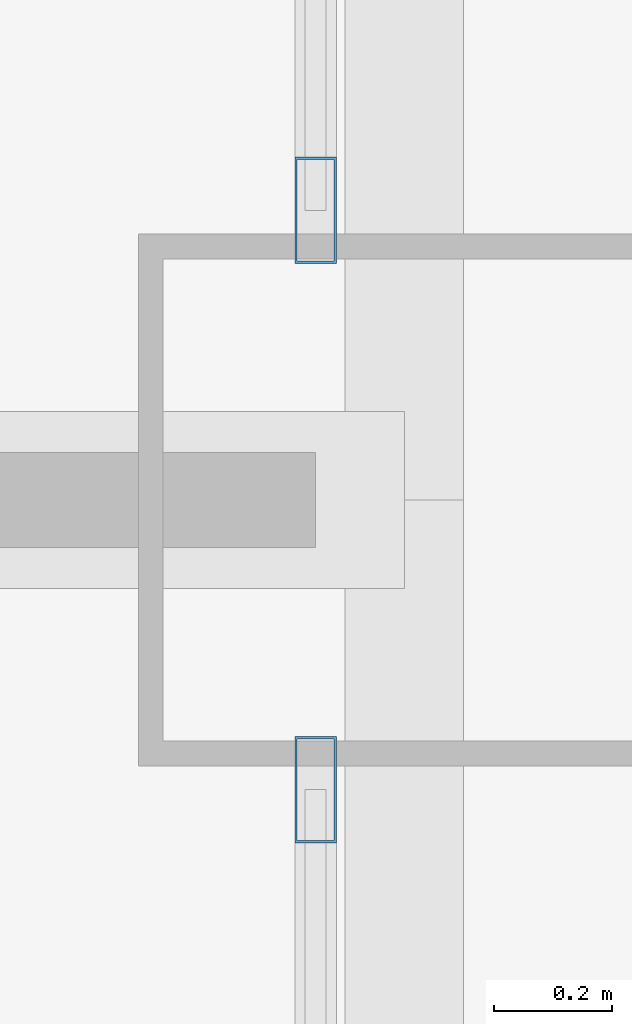
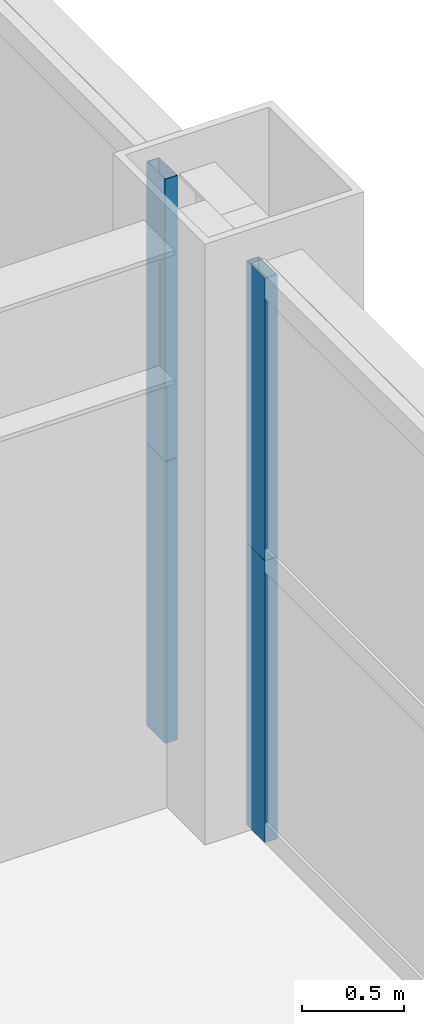
# One storey, part 21 of 43: 4 members, 2 elements without a shape of their own.
"""IFC4 building model written with IfcOpenShell, lengths in metres."""

import ifcopenshell
import ifcopenshell.guid

model = None  # the IFC model being written
_history = None  # IfcOwnerHistory: only IFC2X3 demands one
_inside = {}  # id of a spatial element -> (the spatial element, [elements in it])
_under = {}  # id of a project, library or spatial element -> (it, [spatial elements below it])
_declared = {}  # id of a project -> (the project, [libraries it declares])
_typed = {}  # id of a type object -> (the type object, [elements of that type])
_made_of = {}  # id of a material, layer set ... -> (it, [elements and type objects made of it])


def new_model(schema):
    """Start an empty IFC model of exactly this schema.

    Asked for "IFC4X3", IfcOpenShell would pick the latest addendum, in which some entities
    have other attributes; the version numbers below select the first issue.
    IFC2X3 requires an IfcOwnerHistory on every rooted entity: one is made here for all.
    """
    global model, _history
    if schema == "IFC4X3":
        model = ifcopenshell.file(schema_version=(4, 3, 0, 0))
    else:
        model = ifcopenshell.file(schema=schema)
    _inside.clear()
    _under.clear()
    _declared.clear()
    _typed.clear()
    _made_of.clear()
    _history = None
    if model.schema == "IFC2X3":
        org = make("IfcOrganization", Name="unknown")
        user = make(
            "IfcPersonAndOrganization",
            ThePerson=make("IfcPerson", FamilyName="unknown"),
            TheOrganization=org,
        )
        app = make(
            "IfcApplication",
            ApplicationDeveloper=org,
            Version="unknown",
            ApplicationFullName="unknown",
            ApplicationIdentifier="unknown",
        )
        _history = make(
            "IfcOwnerHistory",
            OwningUser=user,
            OwningApplication=app,
            ChangeAction="ADDED",
            CreationDate=0,
        )
    return model


def make(cls, **values):
    """One entity of the class cls with the attributes given. An attribute that is None is left unset."""
    return model.create_entity(
        cls, **{name: value for name, value in values.items() if value is not None}
    )


def rooted(cls, **values):
    """An entity with a GlobalId (a new one), such as an element, a storey or a relation."""
    return make(cls, GlobalId=ifcopenshell.guid.new(), OwnerHistory=_history, **values)


def si_unit(unit_type, name, prefix=None):
    """IfcSIUnit, for example si_unit("LENGTHUNIT", "METRE", prefix="MILLI")."""
    return make("IfcSIUnit", UnitType=unit_type, Prefix=prefix, Name=name)


def assignment(units):
    """IfcUnitAssignment: the units of a project."""
    return None if units is None else make("IfcUnitAssignment", Units=units)


def point(xyz):
    """IfcCartesianPoint."""
    return None if xyz is None else make("IfcCartesianPoint", Coordinates=xyz)


def direction(xyz):
    """IfcDirection."""
    return None if xyz is None else make("IfcDirection", DirectionRatios=xyz)


def frame(location, z_axis=None, x_axis=None):
    """IfcAxis2Placement3D, a coordinate frame: its origin and axes. An axis left out is left unset."""
    return make(
        "IfcAxis2Placement3D",
        Location=point(location),
        Axis=direction(z_axis),
        RefDirection=direction(x_axis),
    )


def frame_2d(location, x_axis=None):
    """IfcAxis2Placement2D, a coordinate frame in the plane: its origin and x axis."""
    return make(
        "IfcAxis2Placement2D", Location=point(location), RefDirection=direction(x_axis)
    )


def origin():
    """The frame at (0, 0, 0) with its axes left unset."""
    return frame((0.0, 0.0, 0.0))


def origin_2d():
    """The frame at (0, 0) in the plane with its x axis left unset."""
    return frame_2d((0.0, 0.0))


def place(relative_to, where):
    """IfcLocalPlacement: puts the frame where relative to a parent placement (None: the world)."""
    return make(
        "IfcLocalPlacement", PlacementRelTo=relative_to, RelativePlacement=where
    )


def context(
    kind, dimensions, precision=None, world=None, true_north=None, identifier=None
):
    """IfcGeometricRepresentationContext, for example the 3D "Model" context."""
    return make(
        "IfcGeometricRepresentationContext",
        ContextIdentifier=identifier,
        ContextType=kind,
        CoordinateSpaceDimension=dimensions,
        Precision=precision,
        WorldCoordinateSystem=world,
        TrueNorth=true_north,
    )


def subcontext(parent, identifier, kind, view, scale=None):
    """IfcGeometricRepresentationSubContext, for example "Body" below "Model"."""
    return make(
        "IfcGeometricRepresentationSubContext",
        ContextIdentifier=identifier,
        ContextType=kind,
        ParentContext=parent,
        TargetScale=scale,
        TargetView=view,
    )


def project(units=None, contexts=None):
    """IfcProject with its units and contexts."""
    return rooted(
        "IfcProject",
        Name="project",
        RepresentationContexts=contexts,
        UnitsInContext=assignment(units),
    )


def spatial(cls, under=None, at=None, **own):
    """A site, building, storey or space (cls), placed at a placement, below another one or the project."""
    s = rooted(cls, ObjectPlacement=at, **own)
    if under is not None:
        _under.setdefault(under.id(), (under, []))[1].append(s)
    return s


def profile(cls, at=None, kind="AREA", **sizes):
    """A parametric profile (cls). Its sizes go by their IFC names, for example OverallWidth=200.0."""
    return make(cls, ProfileType=kind, Position=at, **sizes)


def hollow_rectangle(**sizes):
    """IfcRectangleHollowProfileDef."""
    return profile("IfcRectangleHollowProfileDef", **sizes)


def extrude(swept, where, along, depth):
    """IfcExtrudedAreaSolid: the profile swept, set in the frame where, extruded along a direction by depth."""
    return make(
        "IfcExtrudedAreaSolid",
        SweptArea=swept,
        Position=where,
        ExtrudedDirection=direction(along),
        Depth=depth,
    )


def shape(context_of_items, identifier, shape_type, items):
    """IfcShapeRepresentation: the items that make up one representation, for example the "Body"."""
    return make(
        "IfcShapeRepresentation",
        ContextOfItems=context_of_items,
        RepresentationIdentifier=identifier,
        RepresentationType=shape_type,
        Items=items,
    )


def source(mapping_origin, context_of_items, identifier, shape_type, items):
    """IfcRepresentationMap: a shape defined once, which mapped items show again and again."""
    return make(
        "IfcRepresentationMap",
        MappingOrigin=mapping_origin,
        MappedRepresentation=shape(context_of_items, identifier, shape_type, items),
    )


def transform(
    local_origin,
    x_axis=None,
    y_axis=None,
    z_axis=None,
    scale=None,
    scale2=None,
    scale3=None,
    uniform=True,
):
    """IfcCartesianTransformationOperator3D, or its non-uniform kind. x_axis, y_axis, z_axis: its Axis1, 2, 3."""
    if uniform:
        return make(
            "IfcCartesianTransformationOperator3D",
            Axis1=direction(x_axis),
            Axis2=direction(y_axis),
            LocalOrigin=point(local_origin),
            Scale=scale,
            Axis3=direction(z_axis),
        )
    return make(
        "IfcCartesianTransformationOperator3DnonUniform",
        Axis1=direction(x_axis),
        Axis2=direction(y_axis),
        LocalOrigin=point(local_origin),
        Scale=scale,
        Axis3=direction(z_axis),
        Scale2=scale2,
        Scale3=scale3,
    )


def mapped(mapping_source, mapping_target):
    """IfcMappedItem: shows the shape of a source again, moved by a transform."""
    return make(
        "IfcMappedItem", MappingSource=mapping_source, MappingTarget=mapping_target
    )


def material(Name=None, Category=None):
    """IfcMaterial."""
    return make("IfcMaterial", Name=Name, Category=Category)


def layer(
    of_material, thickness, ventilated=None, Name=None, Category=None, Priority=None
):
    """IfcMaterialLayer: one layer of a wall or slab, of a material (None: an air gap)."""
    return make(
        "IfcMaterialLayer",
        Material=of_material,
        LayerThickness=thickness,
        IsVentilated=ventilated,
        Name=Name,
        Category=Category,
        Priority=Priority,
    )


def layer_set(layers, Name=None):
    """IfcMaterialLayerSet."""
    return make("IfcMaterialLayerSet", MaterialLayers=layers, LayerSetName=Name)


def material_profile(
    of_material, cross_section, Name=None, Category=None, Priority=None
):
    """IfcMaterialProfile: a cross section and its material."""
    return make(
        "IfcMaterialProfile",
        Name=Name,
        Material=of_material,
        Profile=cross_section,
        Priority=Priority,
        Category=Category,
    )


def profile_set(profiles, Name=None, composite=None):
    """IfcMaterialProfileSet."""
    return make(
        "IfcMaterialProfileSet",
        Name=Name,
        MaterialProfiles=profiles,
        CompositeProfile=composite,
    )


def made_of(thing, what):
    """Note that an element or type object is made of a material, layer set ...; save() writes the relation."""
    if what is not None:
        _made_of.setdefault(what.id(), (what, []))[1].append(thing)
    return thing


def type_object(cls, material=None, **own):
    """A type object (cls), such as IfcWallType, which elements share."""
    return made_of(rooted(cls, **own), material)


def element(
    cls,
    number,
    at=None,
    inside=None,
    cuts=None,
    type_object=None,
    material=None,
    context=None,
    identifier="Body",
    shape_type=None,
    held_by="IfcProductDefinitionShape",
    body=None,
    shapes=None,
    **own,
):
    """One element of the class cls, such as IfcWall. Its Tag is "e" and its number.

    at: its placement. inside: the storey or other place that contains it. cuts: it is an
    opening in that element (IfcRelVoidsElement). A single representation is given by context,
    identifier, shape_type and body (its items); several are given by shapes. held_by: the class
    of the entity that holds the representations. save() writes the other relations.
    """
    e = rooted(cls, Tag="e%d" % number, ObjectPlacement=at, **own)
    if body is not None:
        shapes = [shape(context, identifier, shape_type, body)]
    if shapes is not None:
        e.Representation = make(held_by, Representations=shapes)
    if inside is not None:
        _inside.setdefault(inside.id(), (inside, []))[1].append(e)
    if cuts is not None:
        rooted(
            "IfcRelVoidsElement", RelatingBuildingElement=cuts, RelatedOpeningElement=e
        )
    if type_object is not None:
        _typed.setdefault(type_object.id(), (type_object, []))[1].append(e)
    return made_of(e, material)


def aggregate(whole, parts):
    """IfcRelAggregates: a whole, such as a stair, and the parts it consists of."""
    return rooted("IfcRelAggregates", RelatingObject=whole, RelatedObjects=parts)


def save(model, path):
    """Write the relations noted so far, then the file.

    IfcRelAggregates (storeys below a building ...), IfcRelContainedInSpatialStructure (elements
    in a storey), IfcRelDefinesByType, IfcRelAssociatesMaterial and IfcRelDeclares: one each for
    every whole, place, type object, material and project.
    """
    for whole, parts in _under.values():
        aggregate(whole, parts)
    for where, things in _inside.values():
        rooted(
            "IfcRelContainedInSpatialStructure",
            RelatedElements=things,
            RelatingStructure=where,
        )
    for kind, things in _typed.values():
        rooted("IfcRelDefinesByType", RelatedObjects=things, RelatingType=kind)
    for what, things in _made_of.values():
        rooted("IfcRelAssociatesMaterial", RelatedObjects=things, RelatingMaterial=what)
    for by, libraries in _declared.values():
        rooted("IfcRelDeclares", RelatingContext=by, RelatedDefinitions=libraries)
    model.write(path)


model = new_model("IFC4")

# Units and contexts
model_context = context("Model", 3, precision=1e-05, world=origin(), true_north=direction((0.0, 1.0)))
body_context = subcontext(model_context, "Body", "Model", "MODEL_VIEW")
ifc_project = project(units=[si_unit("LENGTHUNIT", "METRE"), si_unit("AREAUNIT", "SQUARE_METRE"), si_unit("VOLUMEUNIT", "CUBIC_METRE"), si_unit("PLANEANGLEUNIT", "RADIAN"), si_unit("MASSUNIT", "GRAM", prefix="KILO"), si_unit("THERMODYNAMICTEMPERATUREUNIT", "KELVIN"), si_unit("POWERUNIT", "WATT")], contexts=[model_context])

# Site, building, storey
site_placement = place(None, origin())
site = spatial("IfcSite", under=ifc_project, at=site_placement, CompositionType="ELEMENT")
building_placement = place(site_placement, origin())
building = spatial("IfcBuilding", under=site, at=building_placement, Name="Yuzanri Waterfront Tower", CompositionType="ELEMENT")
storey_placement = place(building_placement, frame((0.0, 0.0, 46.0)))
storey = spatial("IfcBuildingStorey", under=building, at=storey_placement, Name="L11", CompositionType="ELEMENT", Elevation=46.0)

# Curtain wall, members
ifc_material_1 = material(Name="Anodized Architectural Bronze", Category="metal")
ifc_layer = layer(ifc_material_1, 0.159912109375)
ifc_layer_set = layer_set([ifc_layer], Name="Anodized Architectural Bronze")
curtain_wall_type = type_object("IfcCurtainWallType", Name="Anodized Bronze Hotel Lower-Tier Recessed Unitized Curtain Wall 8100", PredefinedType="NOTDEFINED", material=ifc_layer_set)
curtain_wall_1_placement = place(storey_placement, origin())
curtain_wall_1 = element("IfcCurtainWall", 1, at=curtain_wall_1_placement, inside=storey, type_object=curtain_wall_type, Name="L11 Curtain Wall CW-L11-EL", PredefinedType="NOTDEFINED")
ifc_material_2 = material(Name="Anodized Architectural Bronze", Category="metal")
ifc_material_profile = material_profile(ifc_material_2, hollow_rectangle(XDim=0.070068359375, YDim=0.179931640625, WallThickness=0.00390625, at=origin_2d()), Name="CWM 70x180")
ifc_profile_set = profile_set([ifc_material_profile], Name="Anodized Architectural Bronze")
member_type = type_object("IfcMemberType", Name="Anodized Bronze Standard Curtain-Wall Mullion 70x180", PredefinedType="MULLION", material=ifc_profile_set)
shared_shape = source(origin(), body_context, "Body", "SweptSolid", [
    extrude(hollow_rectangle(XDim=0.070068359375, YDim=0.179931640625, WallThickness=0.00390625, at=origin_2d()), origin(), (0.0, 0.0, 1.0), 1.68798828125),
])
member_1_placement = place(storey_placement, frame((61.949951171875, 25.31005859375, 0.0), z_axis=(0.0, 0.0, 1.0), x_axis=(1.0, 0.0, 0.0)))
member_1 = element("IfcMember", 2, at=member_1_placement, type_object=member_type, Name="CW-L11-EL Lower Mullion 02", PredefinedType="MULLION", context=body_context, shape_type="MappedRepresentation", body=[
    mapped(shared_shape, transform((0.0, 0.0, 0.0), scale=1.0)),
])
member_2_placement = place(storey_placement, frame((61.949951171875, 25.31005859375, 1.69189453125), z_axis=(0.0, 0.0, 1.0), x_axis=(1.0, 0.0, 0.0)))
member_2 = element("IfcMember", 3, at=member_2_placement, type_object=member_type, Name="CW-L11-EL Upper Mullion 02", PredefinedType="MULLION", context=body_context, shape_type="MappedRepresentation", body=[
    mapped(shared_shape, transform((0.0, 0.0, 0.0), scale=1.0)),
])
aggregate(curtain_wall_1, [member_1, member_2])

curtain_wall_2_placement = place(storey_placement, origin())
curtain_wall_2 = element("IfcCurtainWall", 4, at=curtain_wall_2_placement, inside=storey, type_object=curtain_wall_type, Name="L11 Curtain Wall CW-L11-ER", PredefinedType="NOTDEFINED")
member_3_placement = place(storey_placement, frame((61.949951171875, 26.2900390625, 0.0), z_axis=(0.0, 0.0, 1.0), x_axis=(1.0, 0.0, 0.0)))
member_3 = element("IfcMember", 5, at=member_3_placement, type_object=member_type, Name="CW-L11-ER Lower Mullion 00", PredefinedType="MULLION", context=body_context, shape_type="MappedRepresentation", body=[
    mapped(shared_shape, transform((0.0, 0.0, 0.0), scale=1.0)),
])
member_4_placement = place(storey_placement, frame((61.949951171875, 26.2900390625, 1.69189453125), z_axis=(0.0, 0.0, 1.0), x_axis=(1.0, 0.0, 0.0)))
member_4 = element("IfcMember", 6, at=member_4_placement, type_object=member_type, Name="CW-L11-ER Upper Mullion 00", PredefinedType="MULLION", context=body_context, shape_type="MappedRepresentation", body=[
    mapped(shared_shape, transform((0.0, 0.0, 0.0), scale=1.0)),
])
aggregate(curtain_wall_2, [member_3, member_4])

save(model, "model.ifc")
